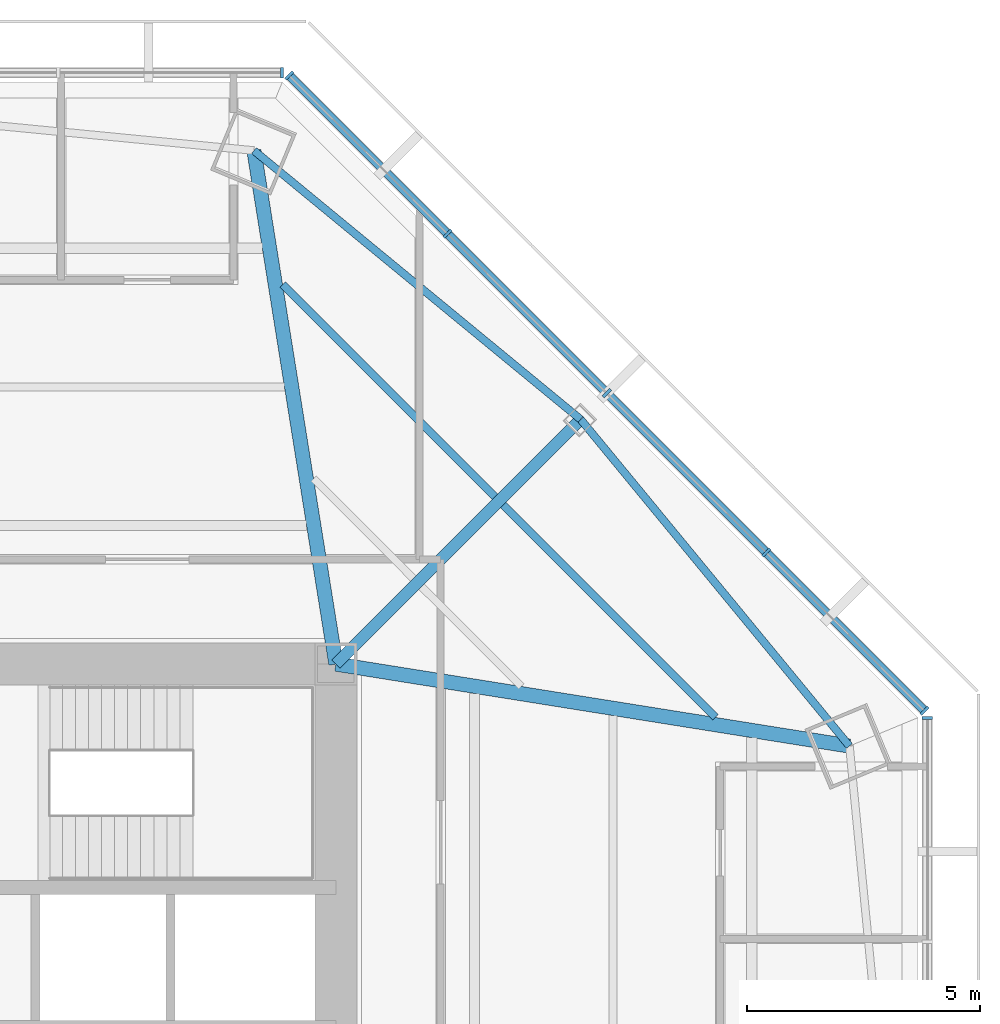
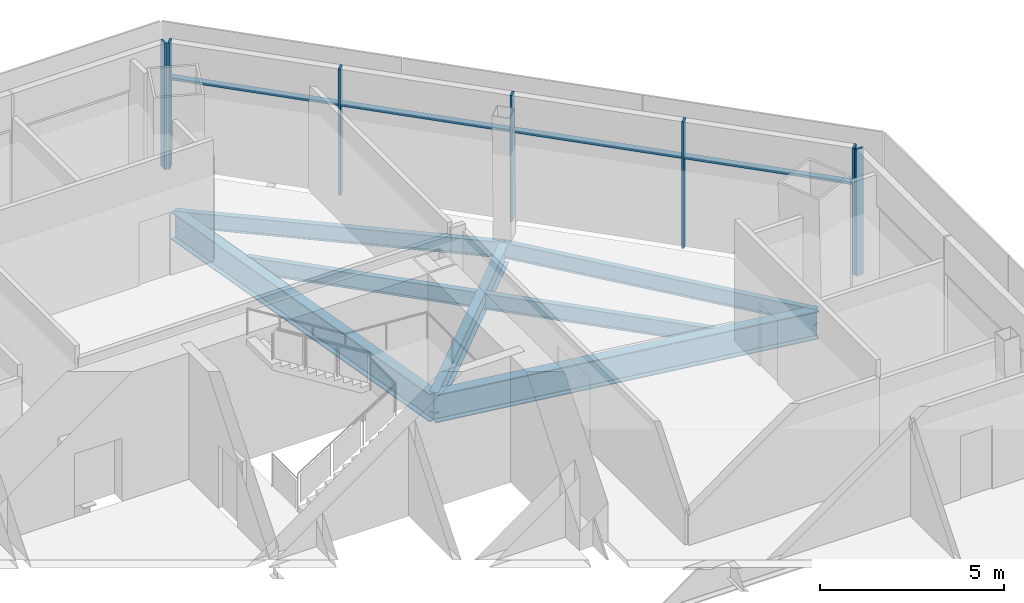
# One storey, part 6 of 15: 11 members, 7 beams, 3 elements without a shape of their own.
"""IFC4 building model written with IfcOpenShell, lengths in metres."""

from ifc_helpers import new_model, si_unit, direction, frame, origin, origin_2d, place, context, subcontext, project, spatial, rectangle, i_section, extrude, source, transform, mapped, material, material_profile, profile_set, type_object, type_shapes, element, aggregate, save


model = new_model("IFC4")

# Units and contexts
model_context = context("Model", 3, precision=1e-05, world=origin(), true_north=direction((0.0, 1.0)))
body_context = subcontext(model_context, "Body", "Model", "MODEL_VIEW")
ifc_project = project(units=[si_unit("LENGTHUNIT", "METRE"), si_unit("AREAUNIT", "SQUARE_METRE"), si_unit("VOLUMEUNIT", "CUBIC_METRE"), si_unit("PLANEANGLEUNIT", "RADIAN"), si_unit("MASSUNIT", "GRAM", prefix="KILO")], contexts=[model_context])

# Site, building, storey
site_placement = place(None, origin())
site = spatial("IfcSite", under=ifc_project, at=site_placement, CompositionType="ELEMENT")
building_placement = place(site_placement, origin())
building = spatial("IfcBuilding", under=site, at=building_placement, Name="Mashrafa Tower", CompositionType="ELEMENT")
storey_placement = place(building_placement, frame((0.0, 0.0, 159.60009765625)))
storey = spatial("IfcBuildingStorey", under=building, at=storey_placement, Name="L36", CompositionType="ELEMENT", Elevation=159.60009765625)

# Beams
ifc_material_1 = material(Name="Steel ASTM A992", Category="steel")
ifc_material_profile_1 = material_profile(ifc_material_1, i_section(OverallWidth=0.1650390625, OverallDepth=0.52587890625, WebThickness=0.0087890625, FlangeThickness=0.011474609375, FilletRadius=0.0126953125, at=origin_2d()), Name="W21X44")
ifc_profile_set_1 = profile_set([ifc_material_profile_1], Name="Steel ASTM A992")
beam_type_1 = type_object("IfcBeamType", Name="Beam W21X44", PredefinedType="BEAM", material=ifc_profile_set_1)
for number, where, z_axis, x_axis, name in (
    (1, (9.6552734375, 18.95068359375, -0.427978515625), (0.707125722477, -0.707087839389, 0.0), (0.707087839389, 0.707125722477, 0.0), "Floor beam L36 025"),
    (2, (14.393798828125, 14.21240234375, -0.427978515625), (0.707087839389, -0.707125722477, 0.0), (0.707125722477, 0.707087839389, 0.0), "Floor beam L36 034"),
):
    element("IfcBeam", number, at=place(storey_placement, frame(where, z_axis=z_axis, x_axis=x_axis)), inside=storey, type_object=beam_type_1, Name=name, PredefinedType="BEAM", context=body_context, shape_type="SweptSolid", body=[
        extrude(i_section(OverallWidth=0.1650390625, OverallDepth=0.52587890625, WebThickness=0.0087890625, FlangeThickness=0.011474609375, FilletRadius=0.0126953125, at=origin_2d()), origin(), (0.0, 0.0, 1.0), 6.444580078125),
    ])
for number, where, z_axis, x_axis, name in (
    (3, (16.054443359375, 16.054443359375, -0.427978515625), (-0.772145878727, 0.635445309972, 0.0), (-0.635445309972, -0.772145878727, 0.0), "Spandrel beam L36 069"),
    (4, (21.826416015625, 9.040771484375, -0.427978515625), (-0.635445309972, 0.772145878727, 0.0), (-0.772145878727, -0.635445309972, 0.0), "Spandrel beam L36 071"),
):
    element("IfcBeam", number, at=place(storey_placement, frame(where, z_axis=z_axis, x_axis=x_axis)), inside=storey, type_object=beam_type_1, Name=name, PredefinedType="BEAM", context=body_context, shape_type="SweptSolid", body=[
        extrude(i_section(OverallWidth=0.1650390625, OverallDepth=0.52587890625, WebThickness=0.0087890625, FlangeThickness=0.011474609375, FilletRadius=0.0126953125, at=origin_2d()), origin(), (0.0, 0.0, 1.0), 9.083251953125),
    ])
ifc_material_2 = material(Name="Steel ASTM A992", Category="steel")
ifc_material_profile_2 = material_profile(ifc_material_2, i_section(OverallWidth=0.256591796875, OverallDepth=0.693359375, WebThickness=0.014404296875, FlangeThickness=0.023681640625, FilletRadius=0.01513671875, at=origin_2d()), Name="W27X114")
ifc_profile_set_2 = profile_set([ifc_material_profile_2], Name="Steel ASTM A992")
beam_type_2 = type_object("IfcBeamType", Name="Beam W27X114", PredefinedType="BEAM", material=ifc_profile_set_2)
beam_placement = place(storey_placement, frame((10.800048828125, 10.800048828125, -0.51171875), z_axis=(0.707106781187, 0.707106781187, 0.0), x_axis=(-0.707106781187, 0.707106781187, 0.0)))
element("IfcBeam", 5, at=beam_placement, inside=storey, type_object=beam_type_2, Name="Radial girder L36 055", PredefinedType="BEAM", context=body_context, shape_type="SweptSolid", body=[
    extrude(i_section(OverallWidth=0.256591796875, OverallDepth=0.693359375, WebThickness=0.014404296875, FlangeThickness=0.023681640625, FilletRadius=0.01513671875, at=origin_2d()), origin(), (0.0, 0.0, 1.0), 7.430908203125),
])
ifc_material_3 = material(Name="Steel ASTM A992", Category="steel")
ifc_material_profile_3 = material_profile(ifc_material_3, i_section(OverallWidth=0.307373046875, OverallDepth=0.927001953125, WebThickness=0.01953125, FlangeThickness=0.031982421875, FilletRadius=0.01904296875, at=origin_2d()), Name="W36X194")
ifc_profile_set_3 = profile_set([ifc_material_profile_3], Name="Steel ASTM A992")
beam_type_3 = type_object("IfcBeamType", Name="Beam W36X194", PredefinedType="BEAM", material=ifc_profile_set_3)
for number, where, z_axis, x_axis, name in (
    (6, (10.800048828125, 10.800048828125, -0.628662109375), (-0.157558985412, 0.987509577734, 0.0), (-0.987509577734, -0.157558985412, 0.0), "Radial girder L36 054"),
    (7, (10.800048828125, 10.800048828125, -0.628662109375), (0.987509577734, -0.157558985412, 0.0), (0.157558985412, 0.987509577734, 0.0), "Radial girder L36 056"),
):
    element("IfcBeam", number, at=place(storey_placement, frame(where, z_axis=z_axis, x_axis=x_axis)), inside=storey, type_object=beam_type_3, Name=name, PredefinedType="BEAM", context=body_context, shape_type="SweptSolid", body=[
        extrude(i_section(OverallWidth=0.307373046875, OverallDepth=0.927001953125, WebThickness=0.01953125, FlangeThickness=0.031982421875, FilletRadius=0.01904296875, at=origin_2d()), origin(), (0.0, 0.0, 1.0), 11.165771484375),
    ])

# Curtain wall, member
ifc_material_4 = material(Name="Unitised aluminium curtain wall", Category="aluminium")
curtain_wall_type = type_object("IfcCurtainWallType", Name="Office curtain wall, zone 2 CW-B 225 deep", PredefinedType="NOTDEFINED", material=ifc_material_4)
curtain_wall_1_placement = place(storey_placement, origin())
curtain_wall_1 = element("IfcCurtainWall", 8, at=curtain_wall_1_placement, inside=storey, type_object=curtain_wall_type, Name="Office curtain wall, zone 2 L36 east", PredefinedType="NOTDEFINED")
ifc_material_5 = material(Name="Extruded aluminium mullion", Category="aluminium")
ifc_material_profile_4 = material_profile(ifc_material_5, rectangle(XDim=0.22509765625, YDim=0.06494140625, at=origin_2d()), Name="Mullion 65x225")
ifc_profile_set_4 = profile_set([ifc_material_profile_4], Name="Extruded aluminium mullion")
member_type_1 = type_object("IfcMemberType", Name="Mullion CW-B 65 x 225", PredefinedType="MULLION", material=ifc_profile_set_4)
shared_shape_1 = source(origin(), body_context, "Body", "SweptSolid", [
    extrude(rectangle(XDim=0.22509765625, YDim=0.06494140625, at=origin_2d()), origin(), (0.0, 0.0, 1.0), 4.199951171875),
])
type_shapes(member_type_1, [shared_shape_1])
member_1_placement = place(storey_placement, frame((23.499755859375, 9.644775390625, 0.0), z_axis=(0.0, 0.0, 1.0), x_axis=(-1.0, 0.0, 0.0)))
member_1 = element("IfcMember", 9, at=member_1_placement, type_object=member_type_1, Name="CW-B mullion 5", PredefinedType="MULLION", context=body_context, shape_type="MappedRepresentation", body=[
    mapped(shared_shape_1, transform((0.0, 0.0, 0.0))),
])
aggregate(curtain_wall_1, [member_1])

# Curtain wall, members
curtain_wall_2_placement = place(storey_placement, origin())
curtain_wall_2 = element("IfcCurtainWall", 10, at=curtain_wall_2_placement, inside=storey, type_object=curtain_wall_type, Name="Office curtain wall, zone 2 L36 north-east", PredefinedType="NOTDEFINED")
member_2_placement = place(storey_placement, frame((23.436767578125, 9.796875, 0.0), z_axis=(0.0, 0.0, 1.0), x_axis=(-0.707106781187, -0.707106781187, 0.0)))
member_2 = element("IfcMember", 11, at=member_2_placement, type_object=member_type_1, Name="CW-B mullion 1", PredefinedType="MULLION", context=body_context, shape_type="MappedRepresentation", body=[
    mapped(shared_shape_1, transform((0.0, 0.0, 0.0))),
])
member_3_placement = place(storey_placement, frame((20.038330078125, 13.195556640625, 0.0), z_axis=(0.0, 0.0, 1.0), x_axis=(-0.707106781187, -0.707106781187, 0.0)))
member_3 = element("IfcMember", 12, at=member_3_placement, type_object=member_type_1, Name="CW-B mullion 2", PredefinedType="MULLION", context=body_context, shape_type="MappedRepresentation", body=[
    mapped(shared_shape_1, transform((0.0, 0.0, 0.0))),
])
member_4_placement = place(storey_placement, frame((16.616943359375, 16.616943359375, 0.0), z_axis=(0.0, 0.0, 1.0), x_axis=(-0.707106781187, -0.707106781187, 0.0)))
member_4 = element("IfcMember", 13, at=member_4_placement, type_object=member_type_1, Name="CW-B mullion 3", PredefinedType="MULLION", context=body_context, shape_type="MappedRepresentation", body=[
    mapped(shared_shape_1, transform((0.0, 0.0, 0.0))),
])
member_5_placement = place(storey_placement, frame((13.195556640625, 20.038330078125, 0.0), z_axis=(0.0, 0.0, 1.0), x_axis=(-0.707106781187, -0.707106781187, 0.0)))
member_5 = element("IfcMember", 14, at=member_5_placement, type_object=member_type_1, Name="CW-B mullion 4", PredefinedType="MULLION", context=body_context, shape_type="MappedRepresentation", body=[
    mapped(shared_shape_1, transform((0.0, 0.0, 0.0))),
])
member_6_placement = place(storey_placement, frame((9.796875, 23.436767578125, 0.0), z_axis=(0.0, 0.0, 1.0), x_axis=(-0.707106781187, -0.707106781187, 0.0)))
member_6 = element("IfcMember", 15, at=member_6_placement, type_object=member_type_1, Name="CW-B mullion 5", PredefinedType="MULLION", context=body_context, shape_type="MappedRepresentation", body=[
    mapped(shared_shape_1, transform((0.0, 0.0, 0.0))),
])

# Curtain wall, member
curtain_wall_3_placement = place(storey_placement, origin())
curtain_wall_3 = element("IfcCurtainWall", 16, at=curtain_wall_3_placement, inside=storey, type_object=curtain_wall_type, Name="Office curtain wall, zone 2 L36 north", PredefinedType="NOTDEFINED")
member_7_placement = place(storey_placement, frame((9.644775390625, 23.499755859375, 0.0), z_axis=(0.0, 0.0, 1.0), x_axis=(0.0, -1.0, 0.0)))
member_7 = element("IfcMember", 17, at=member_7_placement, type_object=member_type_1, Name="CW-B mullion 1", PredefinedType="MULLION", context=body_context, shape_type="MappedRepresentation", body=[
    mapped(shared_shape_1, transform((0.0, 0.0, 0.0))),
])
aggregate(curtain_wall_3, [member_7])

# Member
ifc_material_6 = material(Name="Extruded aluminium transom", Category="aluminium")
ifc_material_profile_5 = material_profile(ifc_material_6, rectangle(XDim=0.179931640625, YDim=0.080078125, at=origin_2d()), Name="Transom 80x180")
ifc_profile_set_5 = profile_set([ifc_material_profile_5], Name="Extruded aluminium transom")
member_type_2 = type_object("IfcMemberType", Name="Transom CW-B 80 x 180", PredefinedType="MULLION", material=ifc_profile_set_5)
shared_shape_2 = source(origin(), body_context, "Body", "SweptSolid", [
    extrude(rectangle(XDim=0.179931640625, YDim=0.080078125, at=origin_2d()), origin(), (0.0, 0.0, 1.0), 4.7412109375),
])
member_8_placement = place(storey_placement, frame((23.413818359375, 9.81982421875, 3.0), z_axis=(-0.707106781187, 0.707106781187, 0.0), x_axis=(-0.707106781187, -0.707106781187, 0.0)))
member_8 = element("IfcMember", 18, at=member_8_placement, type_object=member_type_2, Name="CW-B transom 1", PredefinedType="MULLION", context=body_context, shape_type="MappedRepresentation", body=[
    mapped(shared_shape_2, transform((0.0, 0.0, 0.0))),
])

member_9_placement = place(storey_placement, frame((13.17236328125, 20.061279296875, 3.0), z_axis=(-0.707106781187, 0.707106781187, 0.0), x_axis=(-0.707106781187, -0.707106781187, 0.0)))
member_9 = element("IfcMember", 19, at=member_9_placement, type_object=member_type_2, Name="CW-B transom 4", PredefinedType="MULLION", context=body_context, shape_type="MappedRepresentation", body=[
    mapped(shared_shape_2, transform((0.0, 0.0, 0.0))),
])

shared_shape_3 = source(origin(), body_context, "Body", "SweptSolid", [
    extrude(rectangle(XDim=0.179931640625, YDim=0.080078125, at=origin_2d()), origin(), (0.0, 0.0, 1.0), 4.773681640625),
])
type_shapes(member_type_2, [shared_shape_2, shared_shape_3])
member_10_placement = place(storey_placement, frame((20.015380859375, 13.218505859375, 3.0), z_axis=(-0.707106781187, 0.707106781187, 0.0), x_axis=(-0.707106781187, -0.707106781187, 0.0)))
member_10 = element("IfcMember", 20, at=member_10_placement, type_object=member_type_2, Name="CW-B transom 2", PredefinedType="MULLION", context=body_context, shape_type="MappedRepresentation", body=[
    mapped(shared_shape_3, transform((0.0, 0.0, 0.0))),
])

member_11_placement = place(storey_placement, frame((16.593994140625, 16.639892578125, 3.0), z_axis=(-0.707106781187, 0.707106781187, 0.0), x_axis=(-0.707106781187, -0.707106781187, 0.0)))
member_11 = element("IfcMember", 21, at=member_11_placement, type_object=member_type_2, Name="CW-B transom 3", PredefinedType="MULLION", context=body_context, shape_type="MappedRepresentation", body=[
    mapped(shared_shape_3, transform((0.0, 0.0, 0.0))),
])

aggregate(curtain_wall_2, [member_2, member_3, member_4, member_5, member_6, member_8, member_10, member_11, member_9])

save(model, "model.ifc")
